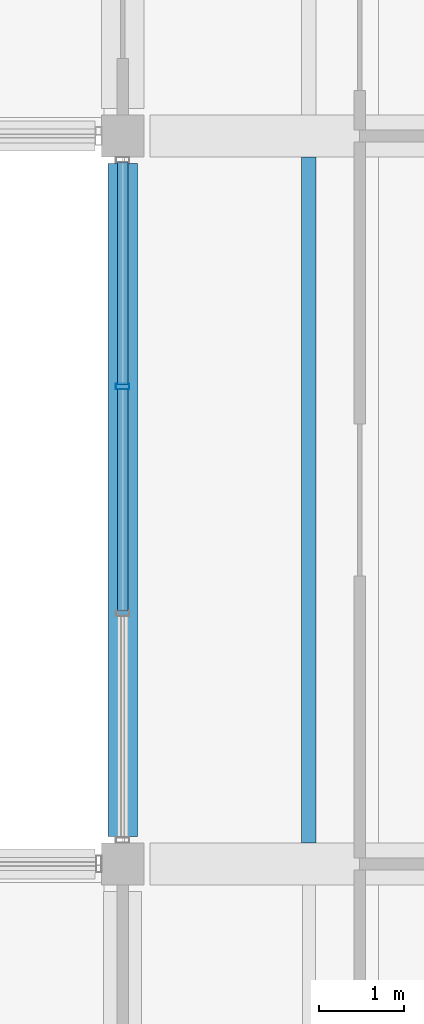
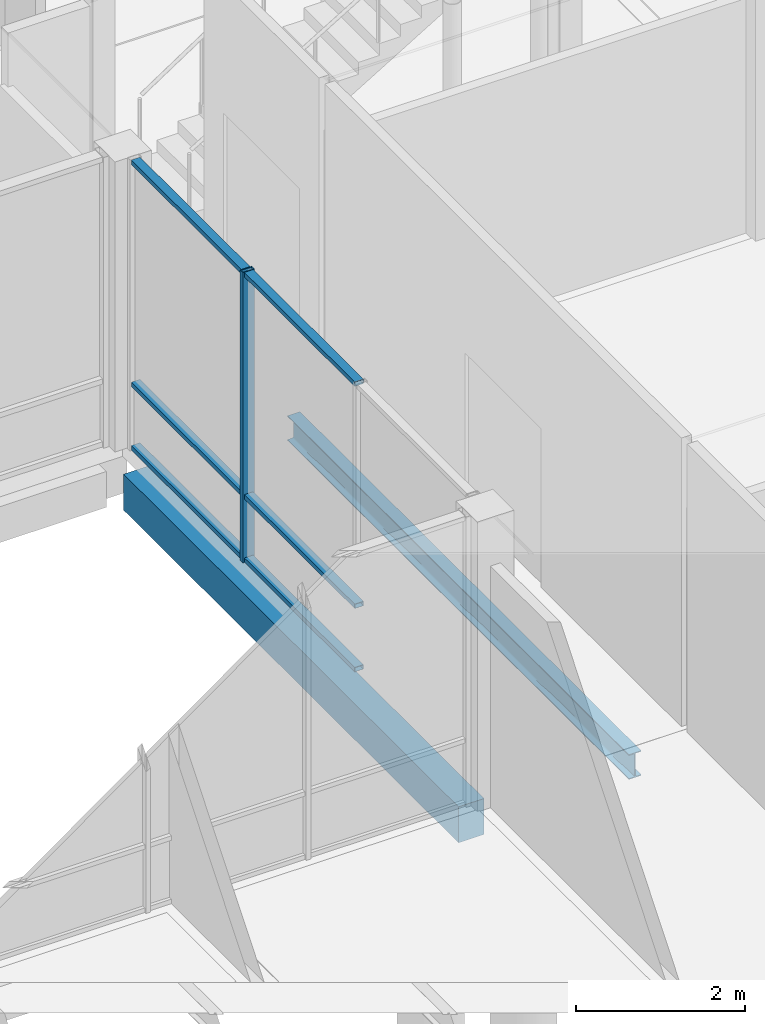
# One storey, part 27 of 104: 7 members, 2 beams, 1 element without a shape of its own.
"""IFC4 building model written with IfcOpenShell, lengths in metres."""

from ifc_helpers import new_model, si_unit, direction, frame, origin, origin_2d, place, context, subcontext, project, spatial, rectangle, hollow_rectangle, i_section, extrude, material, material_profile, profile_set, type_object, element, aggregate, save


model = new_model("IFC4")

# Units and contexts
model_context = context("Model", 3, precision=1e-05, world=origin(), true_north=direction((0.0, 1.0)))
body_context = subcontext(model_context, "Body", "Model", "MODEL_VIEW")
ifc_project = project(units=[si_unit("LENGTHUNIT", "METRE"), si_unit("AREAUNIT", "SQUARE_METRE"), si_unit("VOLUMEUNIT", "CUBIC_METRE"), si_unit("PLANEANGLEUNIT", "RADIAN"), si_unit("MASSUNIT", "GRAM", prefix="KILO")], contexts=[model_context])

# Site, building, storey
site_placement = place(None, origin())
site = spatial("IfcSite", under=ifc_project, at=site_placement, CompositionType="ELEMENT")
building_placement = place(site_placement, origin())
building = spatial("IfcBuilding", under=site, at=building_placement, Name="Hawrajan Terrace Health Centre", CompositionType="ELEMENT")
storey_placement = place(building_placement, origin())
storey = spatial("IfcBuildingStorey", under=building, at=storey_placement, Name="L00", CompositionType="ELEMENT", Elevation=0.0)

# Curtain wall, members
ifc_material_1 = material(Name="Anodized bronze aluminium and low-E solar glazing", Category="aluminium")
curtain_wall_type = type_object("IfcCurtainWallType", Name="CW_Court_SeriesB3", PredefinedType="USERDEFINED", material=ifc_material_1)
curtain_wall_placement = place(storey_placement, origin())
curtain_wall = element("IfcCurtainWall", 1, at=curtain_wall_placement, inside=storey, type_object=curtain_wall_type, Name="Curtain wall CW-L00-030", ObjectType="UNITISED CURTAIN WALL", PredefinedType="USERDEFINED")
ifc_material_2 = material(Name="Anodized bronze aluminium 6063-T6", Category="aluminium")
ifc_material_profile_1 = material_profile(ifc_material_2, hollow_rectangle(XDim=0.06494140625, YDim=0.159912109375, WallThickness=0.00390625, at=origin_2d()), Name="CW MUL 65x160")
ifc_profile_set_1 = profile_set([ifc_material_profile_1], Name="Anodized bronze aluminium 6063-T6")
member_type_1 = type_object("IfcMemberType", Name="CWMullion_65x160", PredefinedType="MULLION", material=ifc_profile_set_1)
member_1_placement = place(storey_placement, frame((62.199951171875, 24.2392578125, -0.0048828125), z_axis=(0.0, 0.0, 1.0), x_axis=(0.0, 1.0, 0.0)))
member_1 = element("IfcMember", 2, at=member_1_placement, type_object=member_type_1, Name="Mullion CW-L00-030-M3", PredefinedType="MULLION", context=body_context, shape_type="SweptSolid", body=[
    extrude(hollow_rectangle(XDim=0.06494140625, YDim=0.159912109375, WallThickness=0.00390625, at=origin_2d()), origin(), (0.0, 0.0, 1.0), 4.2099609375),
])
ifc_material_profile_2 = material_profile(ifc_material_2, hollow_rectangle(XDim=0.06494140625, YDim=0.1201171875, WallThickness=0.00341796875, at=origin_2d()), Name="CW TRN 65x120")
ifc_profile_set_2 = profile_set([ifc_material_profile_2], Name="Anodized bronze aluminium 6063-T6")
member_type_2 = type_object("IfcMemberType", Name="CWTransom_65x120", PredefinedType="USERDEFINED", material=ifc_profile_set_2)
member_2_placement = place(storey_placement, frame((62.199951171875, 21.58740234375, 0.032470703125), z_axis=(0.0, 1.0, 0.0), x_axis=(0.0, 0.0, 1.0)))
member_2 = element("IfcMember", 3, at=member_2_placement, type_object=member_type_2, Name="Transom CW-L00-030-T2-1", ObjectType="TRANSOM", PredefinedType="USERDEFINED", context=body_context, shape_type="SweptSolid", body=[
    extrude(hollow_rectangle(XDim=0.06494140625, YDim=0.1201171875, WallThickness=0.00341796875, at=origin_2d()), origin(), (0.0, 0.0, 1.0), 2.625244140625),
])
member_3_placement = place(storey_placement, frame((62.199951171875, 21.58740234375, 0.949951171875), z_axis=(0.0, 1.0, 0.0), x_axis=(0.0, 0.0, 1.0)))
member_3 = element("IfcMember", 4, at=member_3_placement, type_object=member_type_2, Name="Transom CW-L00-030-T2-2", ObjectType="TRANSOM", PredefinedType="USERDEFINED", context=body_context, shape_type="SweptSolid", body=[
    extrude(hollow_rectangle(XDim=0.06494140625, YDim=0.1201171875, WallThickness=0.00341796875, at=origin_2d()), origin(), (0.0, 0.0, 1.0), 2.625244140625),
])
member_4_placement = place(storey_placement, frame((62.199951171875, 21.58740234375, 4.16748046875), z_axis=(0.0, 1.0, 0.0), x_axis=(0.0, 0.0, 1.0)))
member_4 = element("IfcMember", 5, at=member_4_placement, type_object=member_type_2, Name="Transom CW-L00-030-T2-3", ObjectType="TRANSOM", PredefinedType="USERDEFINED", context=body_context, shape_type="SweptSolid", body=[
    extrude(hollow_rectangle(XDim=0.06494140625, YDim=0.1201171875, WallThickness=0.00341796875, at=origin_2d()), origin(), (0.0, 0.0, 1.0), 2.625244140625),
])
member_5_placement = place(storey_placement, frame((62.199951171875, 24.265625, 0.032470703125), z_axis=(0.0, 1.0, 0.0), x_axis=(0.0, 0.0, 1.0)))
member_5 = element("IfcMember", 6, at=member_5_placement, type_object=member_type_2, Name="Transom CW-L00-030-T3-1", ObjectType="TRANSOM", PredefinedType="USERDEFINED", context=body_context, shape_type="SweptSolid", body=[
    extrude(hollow_rectangle(XDim=0.06494140625, YDim=0.1201171875, WallThickness=0.00341796875, at=origin_2d()), origin(), (0.0, 0.0, 1.0), 2.62548828125),
])
member_6_placement = place(storey_placement, frame((62.199951171875, 24.265625, 0.949951171875), z_axis=(0.0, 1.0, 0.0), x_axis=(0.0, 0.0, 1.0)))
member_6 = element("IfcMember", 7, at=member_6_placement, type_object=member_type_2, Name="Transom CW-L00-030-T3-2", ObjectType="TRANSOM", PredefinedType="USERDEFINED", context=body_context, shape_type="SweptSolid", body=[
    extrude(hollow_rectangle(XDim=0.06494140625, YDim=0.1201171875, WallThickness=0.00341796875, at=origin_2d()), origin(), (0.0, 0.0, 1.0), 2.62548828125),
])
member_7_placement = place(storey_placement, frame((62.199951171875, 24.265625, 4.16748046875), z_axis=(0.0, 1.0, 0.0), x_axis=(0.0, 0.0, 1.0)))
member_7 = element("IfcMember", 8, at=member_7_placement, type_object=member_type_2, Name="Transom CW-L00-030-T3-3", ObjectType="TRANSOM", PredefinedType="USERDEFINED", context=body_context, shape_type="SweptSolid", body=[
    extrude(hollow_rectangle(XDim=0.06494140625, YDim=0.1201171875, WallThickness=0.00341796875, at=origin_2d()), origin(), (0.0, 0.0, 1.0), 2.62548828125),
])
aggregate(curtain_wall, [member_1, member_2, member_3, member_4, member_5, member_6, member_7])

# Beams
ifc_material_3 = material(Name="Concrete C40/50", Category="concrete")
ifc_material_profile_3 = material_profile(ifc_material_3, rectangle(XDim=0.35009765625, YDim=0.52001953125, at=origin_2d()), Name="RC SP 350x520")
ifc_profile_set_3 = profile_set([ifc_material_profile_3], Name="Concrete C40/50")
beam_type_1 = type_object("IfcBeamType", Name="RCSpandrel_350x520", PredefinedType="SPANDREL", material=ifc_profile_set_3)
beam_1_placement = place(storey_placement, frame((62.199951171875, 18.925048828125, -0.56005859375), z_axis=(0.0, 1.0, 0.0), x_axis=(-1.0, 0.0, 0.0)))
element("IfcBeam", 9, at=beam_1_placement, inside=storey, type_object=beam_type_1, Name="Beam BM-Y-L00-W-X09-3", PredefinedType="SPANDREL", context=body_context, shape_type="SweptSolid", body=[
    extrude(rectangle(XDim=0.35009765625, YDim=0.52001953125, at=origin_2d()), origin(), (0.0, 0.0, 1.0), 7.949951171875),
])
ifc_material_4 = material(Name="Steel S355", Category="steel")
ifc_material_profile_4 = material_profile(ifc_material_4, i_section(OverallWidth=0.169921875, OverallDepth=0.360107421875, WebThickness=0.008056640625, FlangeThickness=0.0126953125, FilletRadius=0.01806640625, at=origin_2d()), Name="IPE 360")
ifc_profile_set_4 = profile_set([ifc_material_profile_4], Name="Steel S355")
beam_type_2 = type_object("IfcBeamType", Name="SteelBeam_IPE360", PredefinedType="BEAM", material=ifc_profile_set_4)
beam_2_placement = place(storey_placement, frame((64.39990234375, 18.85009765625, -0.47998046875), z_axis=(0.0, 1.0, 0.0), x_axis=(-1.0, 0.0, 0.0)))
element("IfcBeam", 10, at=beam_2_placement, inside=storey, type_object=beam_type_2, Name="Secondary joist JST-L00-W-09-3-1", PredefinedType="BEAM", context=body_context, shape_type="SweptSolid", body=[
    extrude(i_section(OverallWidth=0.169921875, OverallDepth=0.360107421875, WebThickness=0.008056640625, FlangeThickness=0.0126953125, FilletRadius=0.01806640625, at=origin_2d()), origin(), (0.0, 0.0, 1.0), 8.099853515625),
])

save(model, "model.ifc")
